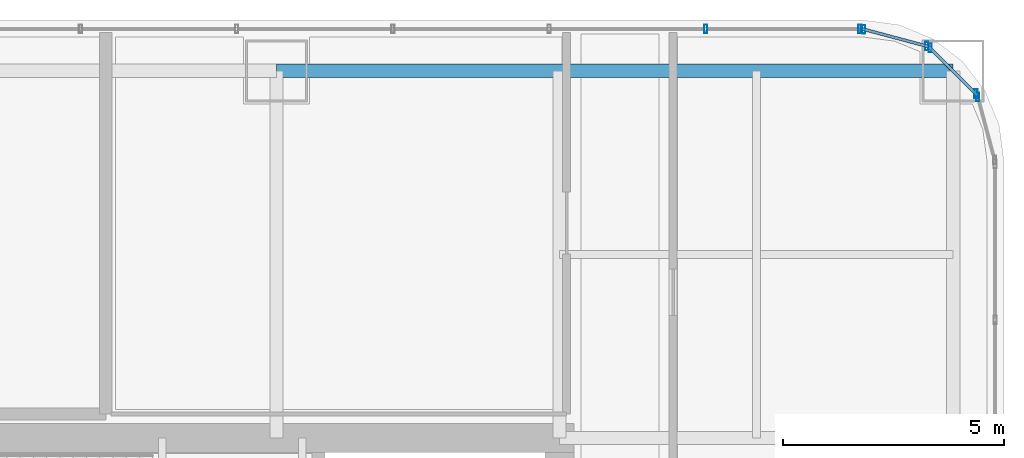
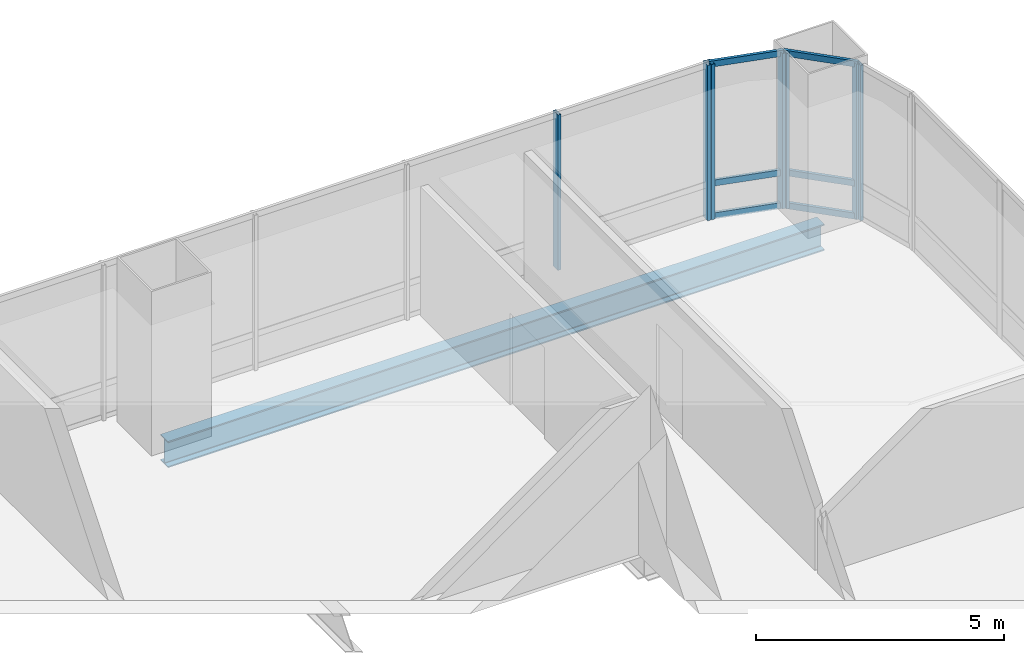
# One storey, part 26 of 36: 13 members, 1 beam, 4 elements without a shape of their own.
"""IFC4 building model written with IfcOpenShell, lengths in metres."""

from ifc_helpers import new_model, si_unit, direction, frame, origin, origin_2d, place, context, subcontext, project, spatial, hollow_rectangle, i_section, extrude, material, material_profile, profile_set, type_object, element, aggregate, save


model = new_model("IFC4")

# Units and contexts
model_context = context("Model", 3, precision=1e-05, world=origin(), true_north=direction((0.0, 1.0)))
body_context = subcontext(model_context, "Body", "Model", "MODEL_VIEW")
ifc_project = project(units=[si_unit("LENGTHUNIT", "METRE"), si_unit("AREAUNIT", "SQUARE_METRE"), si_unit("VOLUMEUNIT", "CUBIC_METRE"), si_unit("PLANEANGLEUNIT", "RADIAN"), si_unit("MASSUNIT", "GRAM", prefix="KILO")], contexts=[model_context])

# Site, building, storey
site_placement = place(None, origin())
site = spatial("IfcSite", under=ifc_project, at=site_placement, CompositionType="ELEMENT")
building_placement = place(site_placement, origin())
building = spatial("IfcBuilding", under=site, at=building_placement, Name="Punatoya Terracotta Tower", CompositionType="ELEMENT")
storey_placement = place(building_placement, frame((0.0, 0.0, 184.35009765625)))
storey = spatial("IfcBuildingStorey", under=building, at=storey_placement, Name="L43", CompositionType="ELEMENT", Elevation=184.35009765625)

# Beam
ifc_material_1 = material(Name="Steel S355", Category="steel")
ifc_material_profile_1 = material_profile(ifc_material_1, i_section(OverallWidth=0.300048828125, OverallDepth=0.64990234375, WebThickness=0.01611328125, FlangeThickness=0.031005859375, FilletRadius=0.01806640625, at=origin_2d()))
ifc_profile_set_1 = profile_set([ifc_material_profile_1], Name="Steel S355")
beam_type = type_object("IfcBeamType", Name="BM-PRI-650", PredefinedType="BEAM", material=ifc_profile_set_1)
beam_placement = place(storey_placement, frame((3.800048828125, 17.5, -0.545166015625), z_axis=(1.0, 0.0, 0.0), x_axis=(0.0, 1.0, 0.0)))
element("IfcBeam", 1, at=beam_placement, inside=storey, type_object=beam_type, Name="BM-L43-RG-N3", PredefinedType="BEAM", context=body_context, shape_type="SweptSolid", body=[
    extrude(i_section(OverallWidth=0.300048828125, OverallDepth=0.64990234375, WebThickness=0.01611328125, FlangeThickness=0.031005859375, FilletRadius=0.01806640625, at=origin_2d()), origin(), (0.0, 0.0, 1.0), 15.300048828125),
])

# Curtain wall, member
ifc_material_2 = material(Name="Aluminium 6063-T6 + Double Low-E Glass", Category="aluminium")
curtain_wall_type = type_object("IfcCurtainWallType", Name="CW-M2", PredefinedType="NOTDEFINED", material=ifc_material_2)
curtain_wall_1_placement = place(storey_placement, origin())
curtain_wall_1 = element("IfcCurtainWall", 2, at=curtain_wall_1_placement, inside=storey, type_object=curtain_wall_type, Name="L43 Curtain Wall CW-L43-CRN06", PredefinedType="NOTDEFINED")
ifc_material_3 = material(Name="Aluminium 6063-T6", Category="aluminium")
ifc_material_profile_2 = material_profile(ifc_material_3, hollow_rectangle(XDim=0.072021484375, YDim=0.195068359375, WallThickness=0.00439453125, at=origin_2d()))
ifc_profile_set_2 = profile_set([ifc_material_profile_2], Name="Aluminium 6063-T6")
member_type_1 = type_object("IfcMemberType", Name="CW-MUL-M2", PredefinedType="MULLION", material=ifc_profile_set_2)
member_1_placement = place(storey_placement, frame((19.658203125, 16.905517578125, 0.0), z_axis=(0.0, 0.0, 1.0), x_axis=(1.0, 0.0, 0.0)))
member_1 = element("IfcMember", 3, at=member_1_placement, type_object=member_type_1, Name="CW-L43-CRN06 Mullion 01", PredefinedType="MULLION", context=body_context, shape_type="SweptSolid", body=[
    extrude(hollow_rectangle(XDim=0.072021484375, YDim=0.195068359375, WallThickness=0.00439453125, at=origin_2d()), origin(), (0.0, 0.0, 1.0), 3.829833984375),
])
aggregate(curtain_wall_1, [member_1])

# Curtain wall, members
curtain_wall_2_placement = place(storey_placement, origin())
curtain_wall_2 = element("IfcCurtainWall", 4, at=curtain_wall_2_placement, inside=storey, type_object=curtain_wall_type, Name="L43 Curtain Wall CW-L43-CRN07", PredefinedType="NOTDEFINED")
member_2_placement = place(storey_placement, frame((19.61474609375, 16.98095703125, 0.0), z_axis=(0.0, 0.0, 1.0), x_axis=(1.0, 0.0, 0.0)))
member_2 = element("IfcMember", 5, at=member_2_placement, type_object=member_type_1, Name="CW-L43-CRN07 Mullion 00", PredefinedType="MULLION", context=body_context, shape_type="SweptSolid", body=[
    extrude(hollow_rectangle(XDim=0.072021484375, YDim=0.195068359375, WallThickness=0.00439453125, at=origin_2d()), origin(), (0.0, 0.0, 1.0), 3.829833984375),
])
member_3_placement = place(storey_placement, frame((18.580810546875, 18.014892578125, 0.0), z_axis=(0.0, 0.0, 1.0), x_axis=(1.0, 0.0, 0.0)))
member_3 = element("IfcMember", 6, at=member_3_placement, type_object=member_type_1, Name="CW-L43-CRN07 Mullion 01", PredefinedType="MULLION", context=body_context, shape_type="SweptSolid", body=[
    extrude(hollow_rectangle(XDim=0.072021484375, YDim=0.195068359375, WallThickness=0.00439453125, at=origin_2d()), origin(), (0.0, 0.0, 1.0), 3.829833984375),
])

curtain_wall_3_placement = place(storey_placement, origin())
curtain_wall_3 = element("IfcCurtainWall", 7, at=curtain_wall_3_placement, inside=storey, type_object=curtain_wall_type, Name="L43 Curtain Wall CW-L43-CRN08", PredefinedType="NOTDEFINED")
member_4_placement = place(storey_placement, frame((18.505615234375, 18.05810546875, 0.0), z_axis=(0.0, 0.0, 1.0), x_axis=(1.0, 0.0, 0.0)))
member_4 = element("IfcMember", 8, at=member_4_placement, type_object=member_type_1, Name="CW-L43-CRN08 Mullion 00", PredefinedType="MULLION", context=body_context, shape_type="SweptSolid", body=[
    extrude(hollow_rectangle(XDim=0.072021484375, YDim=0.195068359375, WallThickness=0.00439453125, at=origin_2d()), origin(), (0.0, 0.0, 1.0), 3.829833984375),
])
member_5_placement = place(storey_placement, frame((17.080322265625, 18.4384765625, 0.0), z_axis=(0.0, 0.0, 1.0), x_axis=(1.0, 0.0, 0.0)))
member_5 = element("IfcMember", 9, at=member_5_placement, type_object=member_type_1, Name="CW-L43-CRN08 Mullion 01", PredefinedType="MULLION", context=body_context, shape_type="SweptSolid", body=[
    extrude(hollow_rectangle(XDim=0.072021484375, YDim=0.195068359375, WallThickness=0.00439453125, at=origin_2d()), origin(), (0.0, 0.0, 1.0), 3.829833984375),
])

curtain_wall_4_placement = place(storey_placement, origin())
curtain_wall_4 = element("IfcCurtainWall", 10, at=curtain_wall_4_placement, inside=storey, type_object=curtain_wall_type, Name="L43 Curtain Wall CW-L43-N09-1", PredefinedType="NOTDEFINED")
member_6_placement = place(storey_placement, frame((16.991943359375, 18.449951171875, 0.0), z_axis=(0.0, 0.0, 1.0), x_axis=(1.0, 0.0, 0.0)))
member_6 = element("IfcMember", 11, at=member_6_placement, type_object=member_type_1, Name="CW-L43-N09-1 Mullion 00", PredefinedType="MULLION", context=body_context, shape_type="SweptSolid", body=[
    extrude(hollow_rectangle(XDim=0.072021484375, YDim=0.195068359375, WallThickness=0.00439453125, at=origin_2d()), origin(), (0.0, 0.0, 1.0), 3.829833984375),
])
member_7_placement = place(storey_placement, frame((13.5029296875, 18.449951171875, 0.0), z_axis=(0.0, 0.0, 1.0), x_axis=(1.0, 0.0, 0.0)))
member_7 = element("IfcMember", 12, at=member_7_placement, type_object=member_type_1, Name="CW-L43-N09-1 Mullion 01", PredefinedType="MULLION", context=body_context, shape_type="SweptSolid", body=[
    extrude(hollow_rectangle(XDim=0.072021484375, YDim=0.195068359375, WallThickness=0.00439453125, at=origin_2d()), origin(), (0.0, 0.0, 1.0), 3.829833984375),
])
aggregate(curtain_wall_4, [member_6, member_7])

# Member
ifc_material_profile_3 = material_profile(ifc_material_3, hollow_rectangle(XDim=0.068115234375, YDim=0.14990234375, WallThickness=0.00390625, at=origin_2d()))
ifc_profile_set_3 = profile_set([ifc_material_profile_3], Name="Aluminium 6063-T6")
member_type_2 = type_object("IfcMemberType", Name="CW-TRN-TYP", PredefinedType="USERDEFINED", material=ifc_profile_set_3)
member_8_placement = place(storey_placement, frame((19.646484375, 16.94921875, 0.039794921875), z_axis=(-0.707106781187, 0.707106781187, 0.0), x_axis=(-0.707106781187, -0.707106781187, 0.0)))
member_8 = element("IfcMember", 13, at=member_8_placement, type_object=member_type_2, Name="CW-L43-CRN07 Transom 1", ObjectType="TRANSOM", PredefinedType="USERDEFINED", context=body_context, shape_type="SweptSolid", body=[
    extrude(hollow_rectangle(XDim=0.068115234375, YDim=0.14990234375, WallThickness=0.00390625, at=origin_2d()), origin(), (0.0, 0.0, 1.0), 1.552001953125),
])

member_9_placement = place(storey_placement, frame((19.646484375, 16.94921875, 0.849853515625), z_axis=(-0.707106781187, 0.707106781187, 0.0), x_axis=(-0.707106781187, -0.707106781187, 0.0)))
member_9 = element("IfcMember", 14, at=member_9_placement, type_object=member_type_2, Name="CW-L43-CRN07 Transom 2", ObjectType="TRANSOM", PredefinedType="USERDEFINED", context=body_context, shape_type="SweptSolid", body=[
    extrude(hollow_rectangle(XDim=0.068115234375, YDim=0.14990234375, WallThickness=0.00390625, at=origin_2d()), origin(), (0.0, 0.0, 1.0), 1.552001953125),
])

member_10_placement = place(storey_placement, frame((19.646484375, 16.94921875, 3.789794921875), z_axis=(-0.707106781187, 0.707106781187, 0.0), x_axis=(-0.707106781187, -0.707106781187, 0.0)))
member_10 = element("IfcMember", 15, at=member_10_placement, type_object=member_type_2, Name="CW-L43-CRN07 Transom 3", ObjectType="TRANSOM", PredefinedType="USERDEFINED", context=body_context, shape_type="SweptSolid", body=[
    extrude(hollow_rectangle(XDim=0.068115234375, YDim=0.14990234375, WallThickness=0.00390625, at=origin_2d()), origin(), (0.0, 0.0, 1.0), 1.552001953125),
])

aggregate(curtain_wall_2, [member_2, member_3, member_8, member_9, member_10])

member_11_placement = place(storey_placement, frame((18.549072265625, 18.046630859375, 0.039794921875), z_axis=(-0.966224582397, 0.257701486942, 0.0), x_axis=(-0.257701486942, -0.966224582397, 0.0)))
member_11 = element("IfcMember", 16, at=member_11_placement, type_object=member_type_2, Name="CW-L43-CRN08 Transom 1", ObjectType="TRANSOM", PredefinedType="USERDEFINED", context=body_context, shape_type="SweptSolid", body=[
    extrude(hollow_rectangle(XDim=0.068115234375, YDim=0.14990234375, WallThickness=0.00390625, at=origin_2d()), origin(), (0.0, 0.0, 1.0), 1.565185546875),
])

member_12_placement = place(storey_placement, frame((18.549072265625, 18.046630859375, 0.849853515625), z_axis=(-0.966224582397, 0.257701486942, 0.0), x_axis=(-0.257701486942, -0.966224582397, 0.0)))
member_12 = element("IfcMember", 17, at=member_12_placement, type_object=member_type_2, Name="CW-L43-CRN08 Transom 2", ObjectType="TRANSOM", PredefinedType="USERDEFINED", context=body_context, shape_type="SweptSolid", body=[
    extrude(hollow_rectangle(XDim=0.068115234375, YDim=0.14990234375, WallThickness=0.00390625, at=origin_2d()), origin(), (0.0, 0.0, 1.0), 1.565185546875),
])

member_13_placement = place(storey_placement, frame((18.549072265625, 18.046630859375, 3.789794921875), z_axis=(-0.966224582397, 0.257701486942, 0.0), x_axis=(-0.257701486942, -0.966224582397, 0.0)))
member_13 = element("IfcMember", 18, at=member_13_placement, type_object=member_type_2, Name="CW-L43-CRN08 Transom 3", ObjectType="TRANSOM", PredefinedType="USERDEFINED", context=body_context, shape_type="SweptSolid", body=[
    extrude(hollow_rectangle(XDim=0.068115234375, YDim=0.14990234375, WallThickness=0.00390625, at=origin_2d()), origin(), (0.0, 0.0, 1.0), 1.565185546875),
])

aggregate(curtain_wall_3, [member_4, member_5, member_11, member_12, member_13])

save(model, "model.ifc")
